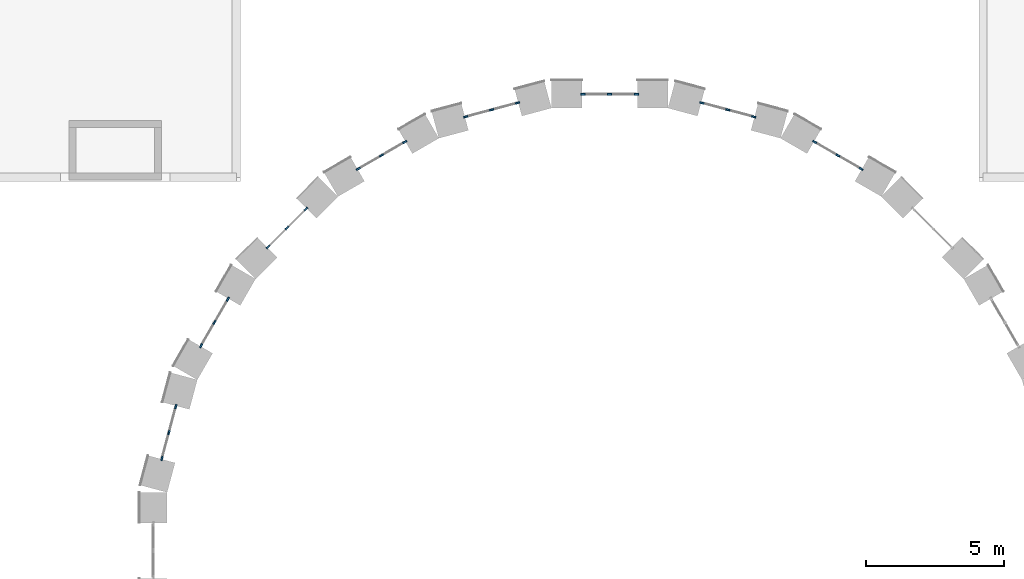
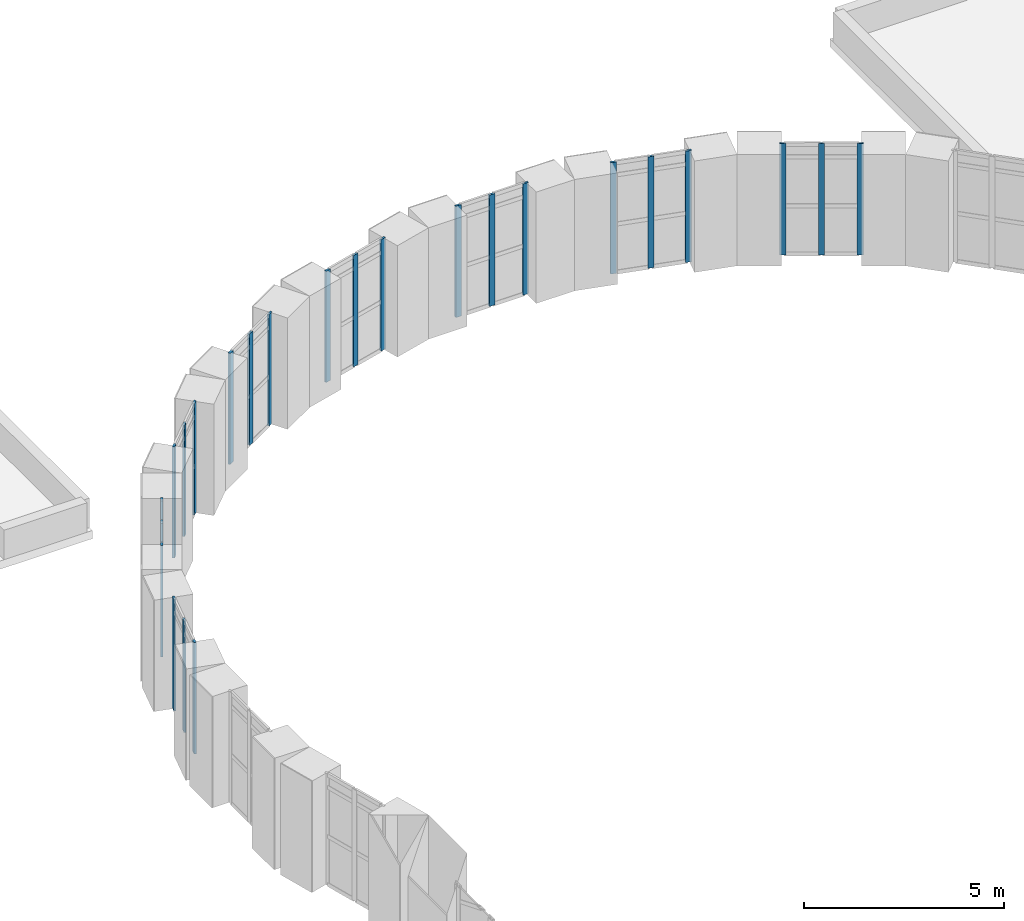
# One storey, part 13 of 42: 24 members, 8 elements without a shape of their own.
"""IFC4 building model written with IfcOpenShell, lengths in metres."""

from ifc_helpers import new_model, si_unit, direction, frame, origin, origin_2d, place, context, subcontext, project, spatial, rectangle, extrude, material, layer, layer_set, material_profile, profile_set, type_object, element, aggregate, save


model = new_model("IFC4")

# Units and contexts
model_context = context("Model", 3, precision=1e-05, world=origin(), true_north=direction((0.0, 1.0)))
body_context = subcontext(model_context, "Body", "Model", "MODEL_VIEW")
ifc_project = project(units=[si_unit("LENGTHUNIT", "METRE"), si_unit("AREAUNIT", "SQUARE_METRE"), si_unit("VOLUMEUNIT", "CUBIC_METRE"), si_unit("PLANEANGLEUNIT", "RADIAN"), si_unit("MASSUNIT", "GRAM", prefix="KILO")], contexts=[model_context])

# Site, building, storey
site_placement = place(None, origin())
site = spatial("IfcSite", under=ifc_project, at=site_placement, CompositionType="ELEMENT")
building_placement = place(site_placement, origin())
building = spatial("IfcBuilding", under=site, at=building_placement, Name="Golden Quay Civic Hall", CompositionType="ELEMENT")
storey_placement = place(building_placement, frame((0.0, 0.0, 22.800048828125)))
storey = spatial("IfcBuildingStorey", under=building, at=storey_placement, Name="L05", CompositionType="ELEMENT", Elevation=22.800048828125)

# Curtain wall, members
ifc_material_1 = material(Name="Glass, laminated double glazed", Category="glass")
ifc_layer = layer(ifc_material_1, 0.199951171875)
ifc_layer_set = layer_set([ifc_layer], Name="Glazed drum clerestory curtain wall")
curtain_wall_type = type_object("IfcCurtainWallType", Name="Glazed drum clerestory curtain wall", PredefinedType="NOTDEFINED", material=ifc_layer_set)
curtain_wall_1_placement = place(storey_placement, origin())
curtain_wall_1 = element("IfcCurtainWall", 1, at=curtain_wall_1_placement, inside=storey, type_object=curtain_wall_type, Name="Clerestory curtain wall 4", PredefinedType="NOTDEFINED")
ifc_material_2 = material(Name="Aluminium, anodised", Category="aluminium")
ifc_material_profile = material_profile(ifc_material_2, rectangle(XDim=0.06005859375, YDim=0.159912109375, at=origin_2d()), Name="Aluminium 60 x 160")
ifc_profile_set = profile_set([ifc_material_profile], Name="Aluminium, anodised")
member_type = type_object("IfcMemberType", Name="Aluminium mullion 60 x 160", PredefinedType="MULLION", material=ifc_profile_set)
member_1_placement = place(storey_placement, frame((94.590087890625, 99.304443359375, 0.300048828125), z_axis=(0.0, 0.0, 1.0), x_axis=(-0.500011000366, -0.866019052627, 0.0)))
member_1 = element("IfcMember", 2, at=member_1_placement, type_object=member_type, Name="CW5 mullion 1", PredefinedType="MULLION", context=body_context, shape_type="SweptSolid", body=[
    extrude(rectangle(XDim=0.06005859375, YDim=0.159912109375, at=origin_2d()), origin(), (0.0, 0.0, 1.0), 3.39990234375),
])
member_2_placement = place(storey_placement, frame((93.75, 99.789306640625, 0.300048828125), z_axis=(0.0, 0.0, 1.0), x_axis=(-0.500011000366, -0.866019052627, 0.0)))
member_2 = element("IfcMember", 3, at=member_2_placement, type_object=member_type, Name="CW5 mullion 2", PredefinedType="MULLION", context=body_context, shape_type="SweptSolid", body=[
    extrude(rectangle(XDim=0.06005859375, YDim=0.159912109375, at=origin_2d()), origin(), (0.0, 0.0, 1.0), 3.39990234375),
])
member_3_placement = place(storey_placement, frame((92.909912109375, 100.2744140625, 0.300048828125), z_axis=(0.0, 0.0, 1.0), x_axis=(-0.500011000366, -0.866019052627, 0.0)))
member_3 = element("IfcMember", 4, at=member_3_placement, type_object=member_type, Name="CW5 mullion 3", PredefinedType="MULLION", context=body_context, shape_type="SweptSolid", body=[
    extrude(rectangle(XDim=0.06005859375, YDim=0.159912109375, at=origin_2d()), origin(), (0.0, 0.0, 1.0), 3.39990234375),
])
aggregate(curtain_wall_1, [member_1, member_2, member_3])

curtain_wall_2_placement = place(storey_placement, origin())
curtain_wall_2 = element("IfcCurtainWall", 5, at=curtain_wall_2_placement, inside=storey, type_object=curtain_wall_type, Name="Clerestory curtain wall 5", PredefinedType="NOTDEFINED")
member_4_placement = place(storey_placement, frame((90.70751953125, 101.186767578125, 0.300048828125), z_axis=(0.0, 0.0, 1.0), x_axis=(-0.258807731996, -0.965928857556, 0.0)))
member_4 = element("IfcMember", 6, at=member_4_placement, type_object=member_type, Name="CW5 mullion 1", PredefinedType="MULLION", context=body_context, shape_type="SweptSolid", body=[
    extrude(rectangle(XDim=0.06005859375, YDim=0.159912109375, at=origin_2d()), origin(), (0.0, 0.0, 1.0), 3.39990234375),
])
member_5_placement = place(storey_placement, frame((89.7705078125, 101.437744140625, 0.300048828125), z_axis=(0.0, 0.0, 1.0), x_axis=(-0.258807731996, -0.965928857556, 0.0)))
member_5 = element("IfcMember", 7, at=member_5_placement, type_object=member_type, Name="CW5 mullion 2", PredefinedType="MULLION", context=body_context, shape_type="SweptSolid", body=[
    extrude(rectangle(XDim=0.06005859375, YDim=0.159912109375, at=origin_2d()), origin(), (0.0, 0.0, 1.0), 3.39990234375),
])
member_6_placement = place(storey_placement, frame((88.83349609375, 101.688720703125, 0.300048828125), z_axis=(0.0, 0.0, 1.0), x_axis=(-0.258807731996, -0.965928857556, 0.0)))
member_6 = element("IfcMember", 8, at=member_6_placement, type_object=member_type, Name="CW5 mullion 3", PredefinedType="MULLION", context=body_context, shape_type="SweptSolid", body=[
    extrude(rectangle(XDim=0.06005859375, YDim=0.159912109375, at=origin_2d()), origin(), (0.0, 0.0, 1.0), 3.39990234375),
])
aggregate(curtain_wall_2, [member_4, member_5, member_6])

curtain_wall_3_placement = place(storey_placement, origin())
curtain_wall_3 = element("IfcCurtainWall", 9, at=curtain_wall_3_placement, inside=storey, type_object=curtain_wall_type, Name="Clerestory curtain wall 6", PredefinedType="NOTDEFINED")
member_7_placement = place(storey_placement, frame((86.469970703125, 102.0, 0.300048828125), z_axis=(0.0, 0.0, 1.0), x_axis=(0.0, -1.0, 0.0)))
member_7 = element("IfcMember", 10, at=member_7_placement, type_object=member_type, Name="CW5 mullion 1", PredefinedType="MULLION", context=body_context, shape_type="SweptSolid", body=[
    extrude(rectangle(XDim=0.06005859375, YDim=0.159912109375, at=origin_2d()), origin(), (0.0, 0.0, 1.0), 3.39990234375),
])
member_8_placement = place(storey_placement, frame((85.5, 102.0, 0.300048828125), z_axis=(0.0, 0.0, 1.0), x_axis=(0.0, -1.0, 0.0)))
member_8 = element("IfcMember", 11, at=member_8_placement, type_object=member_type, Name="CW5 mullion 2", PredefinedType="MULLION", context=body_context, shape_type="SweptSolid", body=[
    extrude(rectangle(XDim=0.06005859375, YDim=0.159912109375, at=origin_2d()), origin(), (0.0, 0.0, 1.0), 3.39990234375),
])
member_9_placement = place(storey_placement, frame((84.530029296875, 102.0, 0.300048828125), z_axis=(0.0, 0.0, 1.0), x_axis=(0.0, -1.0, 0.0)))
member_9 = element("IfcMember", 12, at=member_9_placement, type_object=member_type, Name="CW5 mullion 3", PredefinedType="MULLION", context=body_context, shape_type="SweptSolid", body=[
    extrude(rectangle(XDim=0.06005859375, YDim=0.159912109375, at=origin_2d()), origin(), (0.0, 0.0, 1.0), 3.39990234375),
])
aggregate(curtain_wall_3, [member_7, member_8, member_9])

curtain_wall_4_placement = place(storey_placement, origin())
curtain_wall_4 = element("IfcCurtainWall", 13, at=curtain_wall_4_placement, inside=storey, type_object=curtain_wall_type, Name="Clerestory curtain wall 7", PredefinedType="NOTDEFINED")
member_10_placement = place(storey_placement, frame((82.16650390625, 101.688720703125, 0.300048828125), z_axis=(0.0, 0.0, 1.0), x_axis=(0.258807731996, -0.965928857556, 0.0)))
member_10 = element("IfcMember", 14, at=member_10_placement, type_object=member_type, Name="CW5 mullion 1", PredefinedType="MULLION", context=body_context, shape_type="SweptSolid", body=[
    extrude(rectangle(XDim=0.06005859375, YDim=0.159912109375, at=origin_2d()), origin(), (0.0, 0.0, 1.0), 3.39990234375),
])
member_11_placement = place(storey_placement, frame((81.2294921875, 101.437744140625, 0.300048828125), z_axis=(0.0, 0.0, 1.0), x_axis=(0.258807731996, -0.965928857556, 0.0)))
member_11 = element("IfcMember", 15, at=member_11_placement, type_object=member_type, Name="CW5 mullion 2", PredefinedType="MULLION", context=body_context, shape_type="SweptSolid", body=[
    extrude(rectangle(XDim=0.06005859375, YDim=0.159912109375, at=origin_2d()), origin(), (0.0, 0.0, 1.0), 3.39990234375),
])
member_12_placement = place(storey_placement, frame((80.29248046875, 101.186767578125, 0.300048828125), z_axis=(0.0, 0.0, 1.0), x_axis=(0.258807731996, -0.965928857556, 0.0)))
member_12 = element("IfcMember", 16, at=member_12_placement, type_object=member_type, Name="CW5 mullion 3", PredefinedType="MULLION", context=body_context, shape_type="SweptSolid", body=[
    extrude(rectangle(XDim=0.06005859375, YDim=0.159912109375, at=origin_2d()), origin(), (0.0, 0.0, 1.0), 3.39990234375),
])
aggregate(curtain_wall_4, [member_10, member_11, member_12])

curtain_wall_5_placement = place(storey_placement, origin())
curtain_wall_5 = element("IfcCurtainWall", 17, at=curtain_wall_5_placement, inside=storey, type_object=curtain_wall_type, Name="Clerestory curtain wall 8", PredefinedType="NOTDEFINED")
member_13_placement = place(storey_placement, frame((78.090087890625, 100.2744140625, 0.300048828125), z_axis=(0.0, 0.0, 1.0), x_axis=(0.500011000366, -0.866019052627, 0.0)))
member_13 = element("IfcMember", 18, at=member_13_placement, type_object=member_type, Name="CW5 mullion 1", PredefinedType="MULLION", context=body_context, shape_type="SweptSolid", body=[
    extrude(rectangle(XDim=0.06005859375, YDim=0.159912109375, at=origin_2d()), origin(), (0.0, 0.0, 1.0), 3.39990234375),
])
member_14_placement = place(storey_placement, frame((77.25, 99.789306640625, 0.300048828125), z_axis=(0.0, 0.0, 1.0), x_axis=(0.500011000366, -0.866019052627, 0.0)))
member_14 = element("IfcMember", 19, at=member_14_placement, type_object=member_type, Name="CW5 mullion 2", PredefinedType="MULLION", context=body_context, shape_type="SweptSolid", body=[
    extrude(rectangle(XDim=0.06005859375, YDim=0.159912109375, at=origin_2d()), origin(), (0.0, 0.0, 1.0), 3.39990234375),
])
member_15_placement = place(storey_placement, frame((76.409912109375, 99.304443359375, 0.300048828125), z_axis=(0.0, 0.0, 1.0), x_axis=(0.500011000366, -0.866019052627, 0.0)))
member_15 = element("IfcMember", 20, at=member_15_placement, type_object=member_type, Name="CW5 mullion 3", PredefinedType="MULLION", context=body_context, shape_type="SweptSolid", body=[
    extrude(rectangle(XDim=0.06005859375, YDim=0.159912109375, at=origin_2d()), origin(), (0.0, 0.0, 1.0), 3.39990234375),
])
aggregate(curtain_wall_5, [member_13, member_14, member_15])

curtain_wall_6_placement = place(storey_placement, origin())
curtain_wall_6 = element("IfcCurtainWall", 21, at=curtain_wall_6_placement, inside=storey, type_object=curtain_wall_type, Name="Clerestory curtain wall 9", PredefinedType="NOTDEFINED")
member_16_placement = place(storey_placement, frame((74.5185546875, 97.853271484375, 0.300048828125), z_axis=(0.0, 0.0, 1.0), x_axis=(0.707106781187, -0.707106781187, 0.0)))
member_16 = element("IfcMember", 22, at=member_16_placement, type_object=member_type, Name="CW5 mullion 1", PredefinedType="MULLION", context=body_context, shape_type="SweptSolid", body=[
    extrude(rectangle(XDim=0.06005859375, YDim=0.159912109375, at=origin_2d()), origin(), (0.0, 0.0, 1.0), 3.39990234375),
])
member_17_placement = place(storey_placement, frame((73.832763671875, 97.167236328125, 0.300048828125), z_axis=(0.0, 0.0, 1.0), x_axis=(0.707106781187, -0.707106781187, 0.0)))
member_17 = element("IfcMember", 23, at=member_17_placement, type_object=member_type, Name="CW5 mullion 2", PredefinedType="MULLION", context=body_context, shape_type="SweptSolid", body=[
    extrude(rectangle(XDim=0.06005859375, YDim=0.159912109375, at=origin_2d()), origin(), (0.0, 0.0, 1.0), 3.39990234375),
])
member_18_placement = place(storey_placement, frame((73.146728515625, 96.4814453125, 0.300048828125), z_axis=(0.0, 0.0, 1.0), x_axis=(0.707106781187, -0.707106781187, 0.0)))
member_18 = element("IfcMember", 24, at=member_18_placement, type_object=member_type, Name="CW5 mullion 3", PredefinedType="MULLION", context=body_context, shape_type="SweptSolid", body=[
    extrude(rectangle(XDim=0.06005859375, YDim=0.159912109375, at=origin_2d()), origin(), (0.0, 0.0, 1.0), 3.39990234375),
])
aggregate(curtain_wall_6, [member_16, member_17, member_18])

curtain_wall_7_placement = place(storey_placement, origin())
curtain_wall_7 = element("IfcCurtainWall", 25, at=curtain_wall_7_placement, inside=storey, type_object=curtain_wall_type, Name="Clerestory curtain wall 10", PredefinedType="NOTDEFINED")
member_19_placement = place(storey_placement, frame((71.695556640625, 94.590087890625, 0.300048828125), z_axis=(0.0, 0.0, 1.0), x_axis=(0.866019052627, -0.500011000366, 0.0)))
member_19 = element("IfcMember", 26, at=member_19_placement, type_object=member_type, Name="CW5 mullion 1", PredefinedType="MULLION", context=body_context, shape_type="SweptSolid", body=[
    extrude(rectangle(XDim=0.06005859375, YDim=0.159912109375, at=origin_2d()), origin(), (0.0, 0.0, 1.0), 3.39990234375),
])
member_20_placement = place(storey_placement, frame((71.210693359375, 93.75, 0.300048828125), z_axis=(0.0, 0.0, 1.0), x_axis=(0.866019052627, -0.500011000366, 0.0)))
member_20 = element("IfcMember", 27, at=member_20_placement, type_object=member_type, Name="CW5 mullion 2", PredefinedType="MULLION", context=body_context, shape_type="SweptSolid", body=[
    extrude(rectangle(XDim=0.06005859375, YDim=0.159912109375, at=origin_2d()), origin(), (0.0, 0.0, 1.0), 3.39990234375),
])
member_21_placement = place(storey_placement, frame((70.7255859375, 92.909912109375, 0.300048828125), z_axis=(0.0, 0.0, 1.0), x_axis=(0.866019052627, -0.500011000366, 0.0)))
member_21 = element("IfcMember", 28, at=member_21_placement, type_object=member_type, Name="CW5 mullion 3", PredefinedType="MULLION", context=body_context, shape_type="SweptSolid", body=[
    extrude(rectangle(XDim=0.06005859375, YDim=0.159912109375, at=origin_2d()), origin(), (0.0, 0.0, 1.0), 3.39990234375),
])
aggregate(curtain_wall_7, [member_19, member_20, member_21])

curtain_wall_8_placement = place(storey_placement, origin())
curtain_wall_8 = element("IfcCurtainWall", 29, at=curtain_wall_8_placement, inside=storey, type_object=curtain_wall_type, Name="Clerestory curtain wall 11", PredefinedType="NOTDEFINED")
member_22_placement = place(storey_placement, frame((69.813232421875, 90.70751953125, 0.300048828125), z_axis=(0.0, 0.0, 1.0), x_axis=(0.965928857556, -0.258807731996, 0.0)))
member_22 = element("IfcMember", 30, at=member_22_placement, type_object=member_type, Name="CW5 mullion 1", PredefinedType="MULLION", context=body_context, shape_type="SweptSolid", body=[
    extrude(rectangle(XDim=0.06005859375, YDim=0.159912109375, at=origin_2d()), origin(), (0.0, 0.0, 1.0), 3.39990234375),
])
member_23_placement = place(storey_placement, frame((69.562255859375, 89.7705078125, 0.300048828125), z_axis=(0.0, 0.0, 1.0), x_axis=(0.965928857556, -0.258807731996, 0.0)))
member_23 = element("IfcMember", 31, at=member_23_placement, type_object=member_type, Name="CW5 mullion 2", PredefinedType="MULLION", context=body_context, shape_type="SweptSolid", body=[
    extrude(rectangle(XDim=0.06005859375, YDim=0.159912109375, at=origin_2d()), origin(), (0.0, 0.0, 1.0), 3.39990234375),
])
member_24_placement = place(storey_placement, frame((69.311279296875, 88.83349609375, 0.300048828125), z_axis=(0.0, 0.0, 1.0), x_axis=(0.965928857556, -0.258807731996, 0.0)))
member_24 = element("IfcMember", 32, at=member_24_placement, type_object=member_type, Name="CW5 mullion 3", PredefinedType="MULLION", context=body_context, shape_type="SweptSolid", body=[
    extrude(rectangle(XDim=0.06005859375, YDim=0.159912109375, at=origin_2d()), origin(), (0.0, 0.0, 1.0), 3.39990234375),
])
aggregate(curtain_wall_8, [member_22, member_23, member_24])

save(model, "model.ifc")
